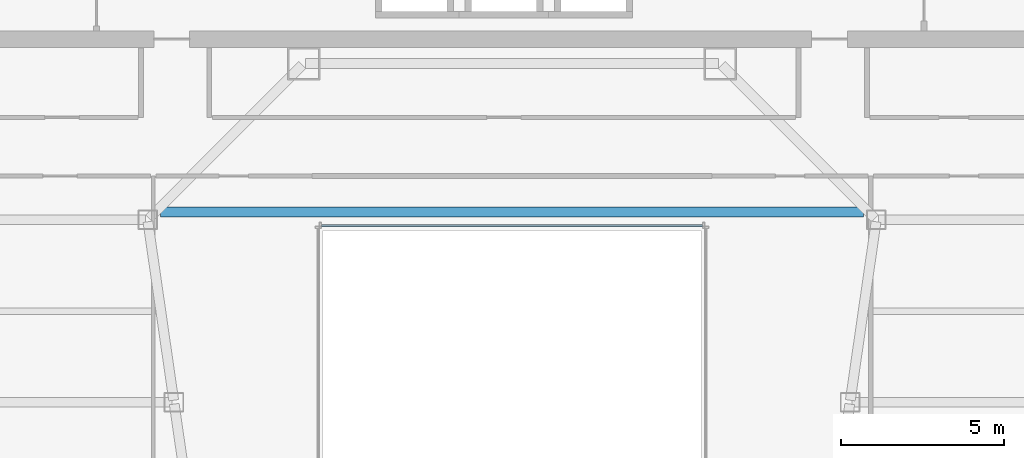
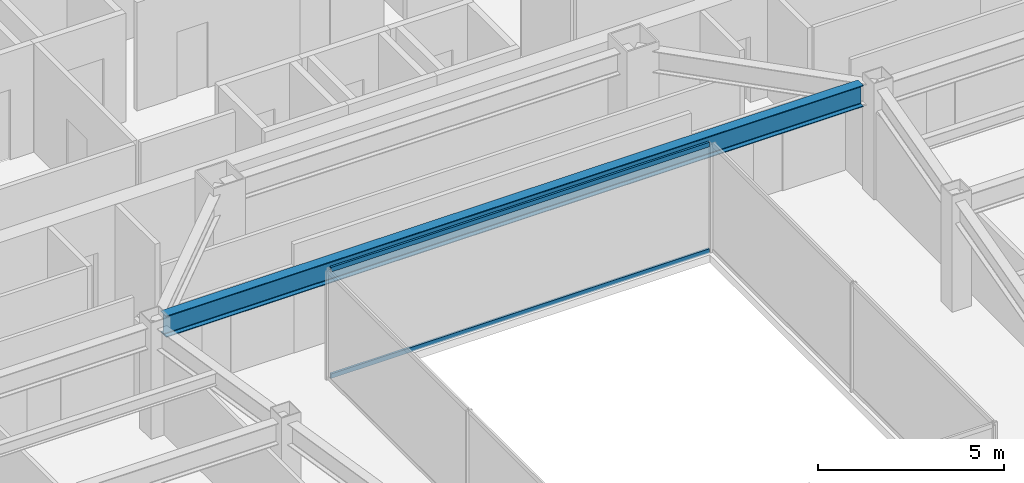
# One storey, part 13 of 38: 2 members, 1 beam, 1 element without a shape of its own.
"""IFC4 building model written with IfcOpenShell, lengths in metres."""

import ifcopenshell
import ifcopenshell.guid

model = None  # the IFC model being written
_history = None  # IfcOwnerHistory: only IFC2X3 demands one
_inside = {}  # id of a spatial element -> (the spatial element, [elements in it])
_under = {}  # id of a project, library or spatial element -> (it, [spatial elements below it])
_declared = {}  # id of a project -> (the project, [libraries it declares])
_typed = {}  # id of a type object -> (the type object, [elements of that type])
_made_of = {}  # id of a material, layer set ... -> (it, [elements and type objects made of it])


def new_model(schema):
    """Start an empty IFC model of exactly this schema.

    Asked for "IFC4X3", IfcOpenShell would pick the latest addendum, in which some entities
    have other attributes; the version numbers below select the first issue.
    IFC2X3 requires an IfcOwnerHistory on every rooted entity: one is made here for all.
    """
    global model, _history
    if schema == "IFC4X3":
        model = ifcopenshell.file(schema_version=(4, 3, 0, 0))
    else:
        model = ifcopenshell.file(schema=schema)
    _inside.clear()
    _under.clear()
    _declared.clear()
    _typed.clear()
    _made_of.clear()
    _history = None
    if model.schema == "IFC2X3":
        org = make("IfcOrganization", Name="unknown")
        user = make(
            "IfcPersonAndOrganization",
            ThePerson=make("IfcPerson", FamilyName="unknown"),
            TheOrganization=org,
        )
        app = make(
            "IfcApplication",
            ApplicationDeveloper=org,
            Version="unknown",
            ApplicationFullName="unknown",
            ApplicationIdentifier="unknown",
        )
        _history = make(
            "IfcOwnerHistory",
            OwningUser=user,
            OwningApplication=app,
            ChangeAction="ADDED",
            CreationDate=0,
        )
    return model


def make(cls, **values):
    """One entity of the class cls with the attributes given. An attribute that is None is left unset."""
    return model.create_entity(
        cls, **{name: value for name, value in values.items() if value is not None}
    )


def rooted(cls, **values):
    """An entity with a GlobalId (a new one), such as an element, a storey or a relation."""
    return make(cls, GlobalId=ifcopenshell.guid.new(), OwnerHistory=_history, **values)


def si_unit(unit_type, name, prefix=None):
    """IfcSIUnit, for example si_unit("LENGTHUNIT", "METRE", prefix="MILLI")."""
    return make("IfcSIUnit", UnitType=unit_type, Prefix=prefix, Name=name)


def assignment(units):
    """IfcUnitAssignment: the units of a project."""
    return None if units is None else make("IfcUnitAssignment", Units=units)


def point(xyz):
    """IfcCartesianPoint."""
    return None if xyz is None else make("IfcCartesianPoint", Coordinates=xyz)


def direction(xyz):
    """IfcDirection."""
    return None if xyz is None else make("IfcDirection", DirectionRatios=xyz)


def frame(location, z_axis=None, x_axis=None):
    """IfcAxis2Placement3D, a coordinate frame: its origin and axes. An axis left out is left unset."""
    return make(
        "IfcAxis2Placement3D",
        Location=point(location),
        Axis=direction(z_axis),
        RefDirection=direction(x_axis),
    )


def frame_2d(location, x_axis=None):
    """IfcAxis2Placement2D, a coordinate frame in the plane: its origin and x axis."""
    return make(
        "IfcAxis2Placement2D", Location=point(location), RefDirection=direction(x_axis)
    )


def origin():
    """The frame at (0, 0, 0) with its axes left unset."""
    return frame((0.0, 0.0, 0.0))


def origin_2d():
    """The frame at (0, 0) in the plane with its x axis left unset."""
    return frame_2d((0.0, 0.0))


def place(relative_to, where):
    """IfcLocalPlacement: puts the frame where relative to a parent placement (None: the world)."""
    return make(
        "IfcLocalPlacement", PlacementRelTo=relative_to, RelativePlacement=where
    )


def context(
    kind, dimensions, precision=None, world=None, true_north=None, identifier=None
):
    """IfcGeometricRepresentationContext, for example the 3D "Model" context."""
    return make(
        "IfcGeometricRepresentationContext",
        ContextIdentifier=identifier,
        ContextType=kind,
        CoordinateSpaceDimension=dimensions,
        Precision=precision,
        WorldCoordinateSystem=world,
        TrueNorth=true_north,
    )


def subcontext(parent, identifier, kind, view, scale=None):
    """IfcGeometricRepresentationSubContext, for example "Body" below "Model"."""
    return make(
        "IfcGeometricRepresentationSubContext",
        ContextIdentifier=identifier,
        ContextType=kind,
        ParentContext=parent,
        TargetScale=scale,
        TargetView=view,
    )


def project(units=None, contexts=None):
    """IfcProject with its units and contexts."""
    return rooted(
        "IfcProject",
        Name="project",
        RepresentationContexts=contexts,
        UnitsInContext=assignment(units),
    )


def spatial(cls, under=None, at=None, **own):
    """A site, building, storey or space (cls), placed at a placement, below another one or the project."""
    s = rooted(cls, ObjectPlacement=at, **own)
    if under is not None:
        _under.setdefault(under.id(), (under, []))[1].append(s)
    return s


def profile(cls, at=None, kind="AREA", **sizes):
    """A parametric profile (cls). Its sizes go by their IFC names, for example OverallWidth=200.0."""
    return make(cls, ProfileType=kind, Position=at, **sizes)


def hollow_rectangle(**sizes):
    """IfcRectangleHollowProfileDef."""
    return profile("IfcRectangleHollowProfileDef", **sizes)


def i_section(**sizes):
    """IfcIShapeProfileDef."""
    return profile("IfcIShapeProfileDef", **sizes)


def extrude(swept, where, along, depth):
    """IfcExtrudedAreaSolid: the profile swept, set in the frame where, extruded along a direction by depth."""
    return make(
        "IfcExtrudedAreaSolid",
        SweptArea=swept,
        Position=where,
        ExtrudedDirection=direction(along),
        Depth=depth,
    )


def shape(context_of_items, identifier, shape_type, items):
    """IfcShapeRepresentation: the items that make up one representation, for example the "Body"."""
    return make(
        "IfcShapeRepresentation",
        ContextOfItems=context_of_items,
        RepresentationIdentifier=identifier,
        RepresentationType=shape_type,
        Items=items,
    )


def material(Name=None, Category=None):
    """IfcMaterial."""
    return make("IfcMaterial", Name=Name, Category=Category)


def material_profile(
    of_material, cross_section, Name=None, Category=None, Priority=None
):
    """IfcMaterialProfile: a cross section and its material."""
    return make(
        "IfcMaterialProfile",
        Name=Name,
        Material=of_material,
        Profile=cross_section,
        Priority=Priority,
        Category=Category,
    )


def profile_set(profiles, Name=None, composite=None):
    """IfcMaterialProfileSet."""
    return make(
        "IfcMaterialProfileSet",
        Name=Name,
        MaterialProfiles=profiles,
        CompositeProfile=composite,
    )


def made_of(thing, what):
    """Note that an element or type object is made of a material, layer set ...; save() writes the relation."""
    if what is not None:
        _made_of.setdefault(what.id(), (what, []))[1].append(thing)
    return thing


def type_object(cls, material=None, **own):
    """A type object (cls), such as IfcWallType, which elements share."""
    return made_of(rooted(cls, **own), material)


def element(
    cls,
    number,
    at=None,
    inside=None,
    cuts=None,
    type_object=None,
    material=None,
    context=None,
    identifier="Body",
    shape_type=None,
    held_by="IfcProductDefinitionShape",
    body=None,
    shapes=None,
    **own,
):
    """One element of the class cls, such as IfcWall. Its Tag is "e" and its number.

    at: its placement. inside: the storey or other place that contains it. cuts: it is an
    opening in that element (IfcRelVoidsElement). A single representation is given by context,
    identifier, shape_type and body (its items); several are given by shapes. held_by: the class
    of the entity that holds the representations. save() writes the other relations.
    """
    e = rooted(cls, Tag="e%d" % number, ObjectPlacement=at, **own)
    if body is not None:
        shapes = [shape(context, identifier, shape_type, body)]
    if shapes is not None:
        e.Representation = make(held_by, Representations=shapes)
    if inside is not None:
        _inside.setdefault(inside.id(), (inside, []))[1].append(e)
    if cuts is not None:
        rooted(
            "IfcRelVoidsElement", RelatingBuildingElement=cuts, RelatedOpeningElement=e
        )
    if type_object is not None:
        _typed.setdefault(type_object.id(), (type_object, []))[1].append(e)
    return made_of(e, material)


def aggregate(whole, parts):
    """IfcRelAggregates: a whole, such as a stair, and the parts it consists of."""
    return rooted("IfcRelAggregates", RelatingObject=whole, RelatedObjects=parts)


def save(model, path):
    """Write the relations noted so far, then the file.

    IfcRelAggregates (storeys below a building ...), IfcRelContainedInSpatialStructure (elements
    in a storey), IfcRelDefinesByType, IfcRelAssociatesMaterial and IfcRelDeclares: one each for
    every whole, place, type object, material and project.
    """
    for whole, parts in _under.values():
        aggregate(whole, parts)
    for where, things in _inside.values():
        rooted(
            "IfcRelContainedInSpatialStructure",
            RelatedElements=things,
            RelatingStructure=where,
        )
    for kind, things in _typed.values():
        rooted("IfcRelDefinesByType", RelatedObjects=things, RelatingType=kind)
    for what, things in _made_of.values():
        rooted("IfcRelAssociatesMaterial", RelatedObjects=things, RelatingMaterial=what)
    for by, libraries in _declared.values():
        rooted("IfcRelDeclares", RelatingContext=by, RelatedDefinitions=libraries)
    model.write(path)


model = new_model("IFC4")

# Units and contexts
model_context = context("Model", 3, precision=1e-05, world=origin(), true_north=direction((0.0, 1.0)))
body_context = subcontext(model_context, "Body", "Model", "MODEL_VIEW")
ifc_project = project(units=[si_unit("LENGTHUNIT", "METRE"), si_unit("AREAUNIT", "SQUARE_METRE"), si_unit("VOLUMEUNIT", "CUBIC_METRE"), si_unit("PLANEANGLEUNIT", "RADIAN"), si_unit("MASSUNIT", "GRAM", prefix="KILO")], contexts=[model_context])

# Site, building, storey
site_placement = place(None, origin())
site = spatial("IfcSite", under=ifc_project, at=site_placement, CompositionType="ELEMENT")
building_placement = place(site_placement, origin())
building = spatial("IfcBuilding", under=site, at=building_placement, Name="Saevonmaru Cultural Tower", CompositionType="ELEMENT")
storey_placement = place(building_placement, frame((0.0, 0.0, 133.39990234375)))
storey = spatial("IfcBuildingStorey", under=building, at=storey_placement, Name="L28", CompositionType="ELEMENT", Elevation=133.39990234375)

# Beam
ifc_material_1 = material(Name="Steel SM355", Category="steel")
ifc_material_profile_1 = material_profile(ifc_material_1, i_section(OverallWidth=0.300048828125, OverallDepth=0.699951171875, WebThickness=0.012939453125, FlangeThickness=0.02392578125, FilletRadius=0.02587890625, at=origin_2d()), Name="H-700x300x13x24")
ifc_profile_set_1 = profile_set([ifc_material_profile_1], Name="Steel SM355")
beam_type = type_object("IfcBeamType", Name="BM-G-H700", PredefinedType="BEAM", material=ifc_profile_set_1)
beam_placement = place(storey_placement, frame((19.20556640625, 37.840087890625, 3.2001953125), z_axis=(1.0, 0.0, 0.0), x_axis=(0.0, 1.0, 0.0)))
element("IfcBeam", 1, at=beam_placement, inside=storey, type_object=beam_type, Name="L28 Central Link Girder", PredefinedType="BEAM", context=body_context, shape_type="SweptSolid", body=[
    extrude(i_section(OverallWidth=0.300048828125, OverallDepth=0.699951171875, WebThickness=0.012939453125, FlangeThickness=0.02392578125, FilletRadius=0.02587890625, at=origin_2d()), origin(), (0.0, 0.0, 1.0), 21.5888671875),
])

# Curtain wall, members
ifc_material_2 = material(Name="Satin Bronze Anodised Aluminium", Category="aluminium")
curtain_wall_type = type_object("IfcCurtainWallType", Name="CW-ATR-GLZ", PredefinedType="NOTDEFINED", material=ifc_material_2)
curtain_wall_placement = place(storey_placement, origin())
curtain_wall = element("IfcCurtainWall", 2, at=curtain_wall_placement, inside=storey, type_object=curtain_wall_type, Name="L28 Vertical Atrium Glazed Smoke Screen 3", PredefinedType="NOTDEFINED")
ifc_material_profile_2 = material_profile(ifc_material_2, hollow_rectangle(XDim=0.06494140625, YDim=0.14990234375, WallThickness=0.00390625, at=origin_2d()), Name="ALU-TRAN-150x65x4")
ifc_profile_set_2 = profile_set([ifc_material_profile_2], Name="Satin Bronze Anodised Aluminium")
member_type = type_object("IfcMemberType", Name="TR-CW-INT-150x65", PredefinedType="USERDEFINED", material=ifc_profile_set_2)
member_1_placement = place(storey_placement, frame((35.857421875, 37.429931640625, 0.03271484375), z_axis=(-1.0, 0.0, 0.0), x_axis=(0.0, -1.0, 0.0)))
member_1 = element("IfcMember", 3, at=member_1_placement, type_object=member_type, Name="CW-ATR-L28-3 transom 1.1", ObjectType="TRANSOM", PredefinedType="USERDEFINED", context=body_context, shape_type="SweptSolid", body=[
    extrude(hollow_rectangle(XDim=0.06494140625, YDim=0.14990234375, WallThickness=0.00390625, at=origin_2d()), origin(), (0.0, 0.0, 1.0), 11.71484375),
])
member_2_placement = place(storey_placement, frame((35.857421875, 37.429931640625, 3.517578125), z_axis=(-1.0, 0.0, 0.0), x_axis=(0.0, -1.0, 0.0)))
member_2 = element("IfcMember", 4, at=member_2_placement, type_object=member_type, Name="CW-ATR-L28-3 transom 1.2", ObjectType="TRANSOM", PredefinedType="USERDEFINED", context=body_context, shape_type="SweptSolid", body=[
    extrude(hollow_rectangle(XDim=0.06494140625, YDim=0.14990234375, WallThickness=0.00390625, at=origin_2d()), origin(), (0.0, 0.0, 1.0), 11.71484375),
])
aggregate(curtain_wall, [member_1, member_2])

save(model, "model.ifc")
